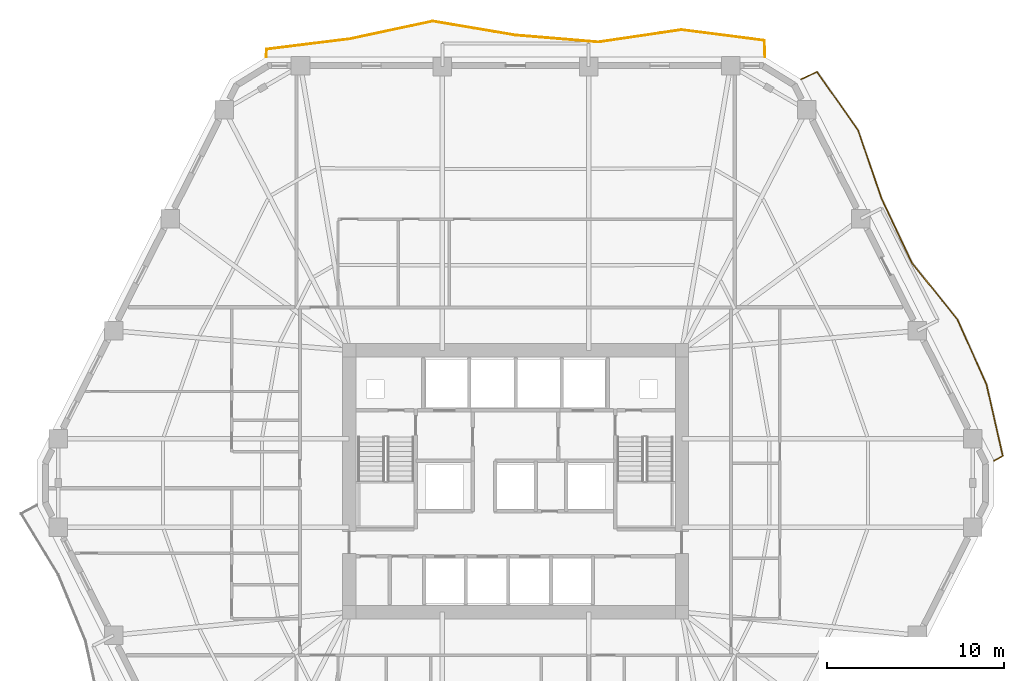
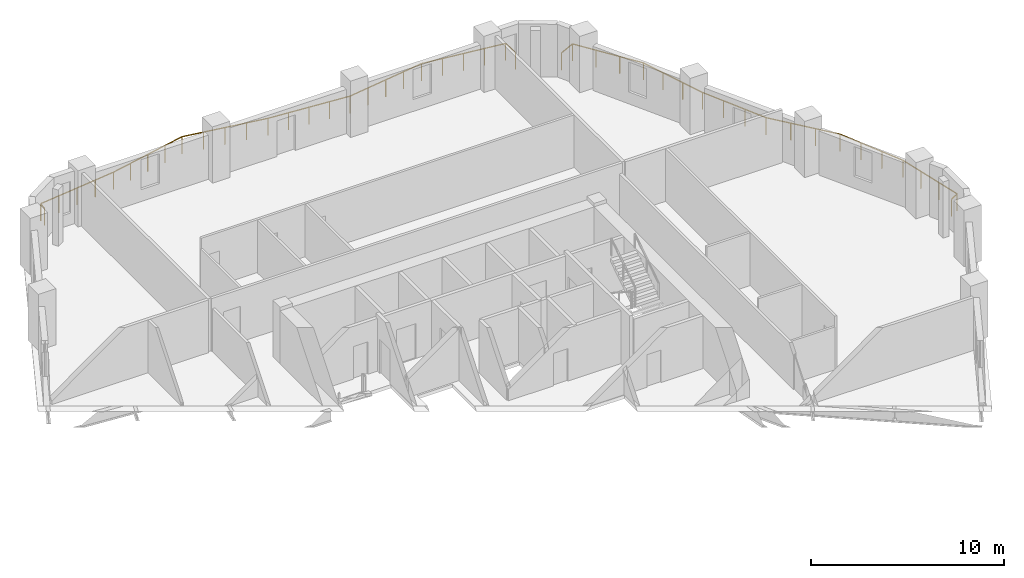
# One storey, part 10 of 10: 2 railings.
"""IFC4 building model written with IfcOpenShell, lengths in metres."""

from ifc_helpers import new_model, si_unit, direction, frame, origin, origin_2d, place, context, subcontext, project, spatial, rectangle, extrude, material, type_object, element, save


model = new_model("IFC4")

# Units and contexts
model_context = context("Model", 3, precision=1e-05, world=origin(), true_north=direction((0.0, 1.0)))
body_context = subcontext(model_context, "Body", "Model", "MODEL_VIEW")
ifc_project = project(units=[si_unit("LENGTHUNIT", "METRE"), si_unit("AREAUNIT", "SQUARE_METRE"), si_unit("VOLUMEUNIT", "CUBIC_METRE"), si_unit("PLANEANGLEUNIT", "RADIAN"), si_unit("MASSUNIT", "GRAM", prefix="KILO")], contexts=[model_context])

# Site, building, storey
site_placement = place(None, origin())
site = spatial("IfcSite", under=ifc_project, at=site_placement, CompositionType="ELEMENT")
building_placement = place(site_placement, origin())
building = spatial("IfcBuilding", under=site, at=building_placement, Name="Cinnabar Lancet Tower", CompositionType="ELEMENT")
storey_placement = place(building_placement, frame((0.0, 0.0, 87.10009765625)))
storey = spatial("IfcBuildingStorey", under=building, at=storey_placement, Name="L22", CompositionType="ELEMENT", Elevation=87.10009765625)

# Railings
ifc_material = material(Name="Laminated safety glass and bronze stainless steel balustrade", Category="steel")
railing_type = type_object("IfcRailingType", Name="ENV-RLG-BAL-1100", PredefinedType="BALUSTRADE", material=ifc_material)
railing_1_placement = place(storey_placement, frame((59.367919921875, 27.049072265625, 0.0)))
element("IfcRailing", 1, at=railing_1_placement, inside=storey, type_object=railing_type, Name="L22 Face 3 Wave Balcony Balustrade", PredefinedType="BALUSTRADE", context=body_context, shape_type="SweptSolid", body=[
    extrude(rectangle(XDim=0.048095703125, YDim=0.048095703125, at=origin_2d()), frame((0.0, 0.0, 1.076171875), z_axis=(0.868189468492, 0.496232855421, 0.0), x_axis=(-0.496232855421, 0.868189468492, 0.0)), (0.0, 0.0, 1.0), 0.559814453125),
    extrude(rectangle(XDim=0.048095703125, YDim=0.048095703125, at=origin_2d()), frame((0.486083984375, 0.27783203125, 1.076171875), z_axis=(-0.222073403223, 0.975029950094, 0.0), x_axis=(-0.975029950094, -0.222073403223, 0.0)), (0.0, 0.0, 1.0), 4.129150390625),
    extrude(rectangle(XDim=0.048095703125, YDim=0.048095703125, at=origin_2d()), frame((-0.430908203125, 4.303955078125, 1.076171875), z_axis=(-0.408402099258, 0.912802128241, 0.0), x_axis=(-0.912802128241, -0.408402099258, 0.0)), (0.0, 0.0, 1.0), 4.010498046875),
    extrude(rectangle(XDim=0.048095703125, YDim=0.048095703125, at=origin_2d()), frame((-2.06884765625, 7.96484375, 1.076171875), z_axis=(-0.626075917106, 0.779762108607, 0.0), x_axis=(-0.779762108607, -0.626075917106, 0.0)), (0.0, 0.0, 1.0), 4.09375),
    extrude(rectangle(XDim=0.048095703125, YDim=0.048095703125, at=origin_2d()), frame((-4.6318359375, 11.156982421875, 1.076171875), z_axis=(-0.427583355017, 0.903975925848, 0.0), x_axis=(-0.903975925848, -0.427583355017, 0.0)), (0.0, 0.0, 1.0), 4.006591796875),
    extrude(rectangle(XDim=0.048095703125, YDim=0.048095703125, at=origin_2d()), frame((-6.344970703125, 14.77880859375, 1.076171875), z_axis=(-0.32450635085, 0.945883517278, 0.0), x_axis=(-0.945883517278, -0.32450635085, 0.0)), (0.0, 0.0, 1.0), 4.046142578125),
    extrude(rectangle(XDim=0.048095703125, YDim=0.048095703125, at=origin_2d()), frame((-7.657958984375, 18.60595703125, 1.076171875), z_axis=(-0.573170854356, 0.819435886276, 0.0), x_axis=(-0.819435886276, -0.573170854356, 0.0)), (0.0, 0.0, 1.0), 4.0478515625),
    extrude(rectangle(XDim=0.048095703125, YDim=0.048095703125, at=origin_2d()), frame((-9.97802734375, 21.9228515625, 1.076171875), z_axis=(-0.906170605572, -0.42291232377, 0.0), x_axis=(0.42291232377, -0.906170605572, 0.0)), (0.0, 0.0, 1.0), 0.9951171875),
    extrude(rectangle(XDim=0.0419921875, YDim=0.0419921875, at=origin_2d()), origin(), (0.0, 0.0, 1.0), 1.052001953125),
    extrude(rectangle(XDim=0.0419921875, YDim=0.0419921875, at=origin_2d()), frame((0.486083984375, 0.27783203125, 0.0)), (0.0, 0.0, 1.0), 1.052001953125),
    extrude(rectangle(XDim=0.0419921875, YDim=0.0419921875, at=origin_2d()), frame((0.180419921875, 1.619873046875, 0.0)), (0.0, 0.0, 1.0), 1.052001953125),
    extrude(rectangle(XDim=0.0419921875, YDim=0.0419921875, at=origin_2d()), frame((-0.125244140625, 2.9619140625, 0.0)), (0.0, 0.0, 1.0), 1.052001953125),
    extrude(rectangle(XDim=0.0419921875, YDim=0.0419921875, at=origin_2d()), frame((-0.430908203125, 4.303955078125, 0.0)), (0.0, 0.0, 1.0), 1.052001953125),
    extrude(rectangle(XDim=0.0419921875, YDim=0.0419921875, at=origin_2d()), frame((-0.976806640625, 5.524169921875, 0.0)), (0.0, 0.0, 1.0), 1.052001953125),
    extrude(rectangle(XDim=0.0419921875, YDim=0.0419921875, at=origin_2d()), frame((-1.52294921875, 6.74462890625, 0.0)), (0.0, 0.0, 1.0), 1.052001953125),
    extrude(rectangle(XDim=0.0419921875, YDim=0.0419921875, at=origin_2d()), frame((-2.06884765625, 7.96484375, 0.0)), (0.0, 0.0, 1.0), 1.052001953125),
    extrude(rectangle(XDim=0.0419921875, YDim=0.0419921875, at=origin_2d()), frame((-2.923095703125, 9.02880859375, 0.0)), (0.0, 0.0, 1.0), 1.052001953125),
    extrude(rectangle(XDim=0.0419921875, YDim=0.0419921875, at=origin_2d()), frame((-3.777587890625, 10.093017578125, 0.0)), (0.0, 0.0, 1.0), 1.052001953125),
    extrude(rectangle(XDim=0.0419921875, YDim=0.0419921875, at=origin_2d()), frame((-4.6318359375, 11.156982421875, 0.0)), (0.0, 0.0, 1.0), 1.052001953125),
    extrude(rectangle(XDim=0.0419921875, YDim=0.0419921875, at=origin_2d()), frame((-5.202880859375, 12.3642578125, 0.0)), (0.0, 0.0, 1.0), 1.052001953125),
    extrude(rectangle(XDim=0.0419921875, YDim=0.0419921875, at=origin_2d()), frame((-5.77392578125, 13.571533203125, 0.0)), (0.0, 0.0, 1.0), 1.052001953125),
    extrude(rectangle(XDim=0.0419921875, YDim=0.0419921875, at=origin_2d()), frame((-6.344970703125, 14.77880859375, 0.0)), (0.0, 0.0, 1.0), 1.052001953125),
    extrude(rectangle(XDim=0.0419921875, YDim=0.0419921875, at=origin_2d()), frame((-6.78271484375, 16.054443359375, 0.0)), (0.0, 0.0, 1.0), 1.052001953125),
    extrude(rectangle(XDim=0.0419921875, YDim=0.0419921875, at=origin_2d()), frame((-7.22021484375, 17.330322265625, 0.0)), (0.0, 0.0, 1.0), 1.052001953125),
    extrude(rectangle(XDim=0.0419921875, YDim=0.0419921875, at=origin_2d()), frame((-7.657958984375, 18.60595703125, 0.0)), (0.0, 0.0, 1.0), 1.052001953125),
    extrude(rectangle(XDim=0.0419921875, YDim=0.0419921875, at=origin_2d()), frame((-8.431396484375, 19.711669921875, 0.0)), (0.0, 0.0, 1.0), 1.052001953125),
    extrude(rectangle(XDim=0.0419921875, YDim=0.0419921875, at=origin_2d()), frame((-9.20458984375, 20.817138671875, 0.0)), (0.0, 0.0, 1.0), 1.052001953125),
    extrude(rectangle(XDim=0.0419921875, YDim=0.0419921875, at=origin_2d()), frame((-9.97802734375, 21.9228515625, 0.0)), (0.0, 0.0, 1.0), 1.052001953125),
    extrude(rectangle(XDim=0.0419921875, YDim=0.0419921875, at=origin_2d()), frame((-10.8798828125, 21.501953125, 0.0)), (0.0, 0.0, 1.0), 1.052001953125),
])
railing_2_placement = place(storey_placement, frame((46.4560546875, 49.800048828125, 0.0)))
element("IfcRailing", 2, at=railing_2_placement, inside=storey, type_object=railing_type, Name="L22 Face 4 Wave Balcony Balustrade", PredefinedType="BALUSTRADE", context=body_context, shape_type="SweptSolid", body=[
    extrude(rectangle(XDim=0.048095703125, YDim=0.048095703125, at=origin_2d()), frame((0.0, 0.0, 1.076171875), z_axis=(-0.036117864704, 0.999347537071, 0.0), x_axis=(-0.999347537071, -0.036117864704, 0.0)), (0.0, 0.0, 1.0), 0.939697265625),
    extrude(rectangle(XDim=0.048095703125, YDim=0.048095703125, at=origin_2d()), frame((-0.033935546875, 0.93896484375, 1.076171875), z_axis=(-0.991862053108, 0.127317192884, 0.0), x_axis=(-0.127317192884, -0.991862053108, 0.0)), (0.0, 0.0, 1.0), 4.71337890625),
    extrude(rectangle(XDim=0.048095703125, YDim=0.048095703125, at=origin_2d()), frame((-4.708984375, 1.5390625, 1.076171875), z_axis=(-0.989247519706, -0.146250964974, 0.0), x_axis=(0.146250964974, -0.989247519706, 0.0)), (0.0, 0.0, 1.0), 4.725830078125),
    extrude(rectangle(XDim=0.048095703125, YDim=0.048095703125, at=origin_2d()), frame((-9.384033203125, 0.847900390625, 1.076171875), z_axis=(-0.996570494674, 0.082748106602, 0.0), x_axis=(-0.082748106602, -0.996570494674, 0.0)), (0.0, 0.0, 1.0), 4.688232421875),
    extrude(rectangle(XDim=0.048095703125, YDim=0.048095703125, at=origin_2d()), frame((-14.05615234375, 1.23583984375, 1.076171875), z_axis=(-0.986142126996, 0.165902698481, 0.0), x_axis=(-0.165902698481, -0.986142126996, 0.0)), (0.0, 0.0, 1.0), 4.738525390625),
    extrude(rectangle(XDim=0.048095703125, YDim=0.048095703125, at=origin_2d()), frame((-18.72900390625, 2.02197265625, 1.076171875), z_axis=(-0.97795390685, -0.208820870786, 0.0), x_axis=(0.208820870786, -0.97795390685, 0.0)), (0.0, 0.0, 1.0), 4.779541015625),
    extrude(rectangle(XDim=0.048095703125, YDim=0.048095703125, at=origin_2d()), frame((-23.403076171875, 1.02392578125, 1.076171875), z_axis=(-0.992443660737, -0.122701182813, 0.0), x_axis=(0.122701182813, -0.992443660737, 0.0)), (0.0, 0.0, 1.0), 4.709716796875),
    extrude(rectangle(XDim=0.048095703125, YDim=0.048095703125, at=origin_2d()), frame((-28.0771484375, 0.446044921875, 1.076171875), z_axis=(-0.078031732478, -0.996950875784, 0.0), x_axis=(0.996950875784, -0.078031732478, 0.0)), (0.0, 0.0, 1.0), 0.447509765625),
    extrude(rectangle(XDim=0.0419921875, YDim=0.0419921875, at=origin_2d()), origin(), (0.0, 0.0, 1.0), 1.052001953125),
    extrude(rectangle(XDim=0.0419921875, YDim=0.0419921875, at=origin_2d()), frame((-0.033935546875, 0.93896484375, 0.0)), (0.0, 0.0, 1.0), 1.052001953125),
    extrude(rectangle(XDim=0.0419921875, YDim=0.0419921875, at=origin_2d()), frame((-1.20263671875, 1.0888671875, 0.0)), (0.0, 0.0, 1.0), 1.052001953125),
    extrude(rectangle(XDim=0.0419921875, YDim=0.0419921875, at=origin_2d()), frame((-2.37158203125, 1.239013671875, 0.0)), (0.0, 0.0, 1.0), 1.052001953125),
    extrude(rectangle(XDim=0.0419921875, YDim=0.0419921875, at=origin_2d()), frame((-3.540283203125, 1.38916015625, 0.0)), (0.0, 0.0, 1.0), 1.052001953125),
    extrude(rectangle(XDim=0.0419921875, YDim=0.0419921875, at=origin_2d()), frame((-4.708984375, 1.5390625, 0.0)), (0.0, 0.0, 1.0), 1.052001953125),
    extrude(rectangle(XDim=0.0419921875, YDim=0.0419921875, at=origin_2d()), frame((-5.877685546875, 1.3662109375, 0.0)), (0.0, 0.0, 1.0), 1.052001953125),
    extrude(rectangle(XDim=0.0419921875, YDim=0.0419921875, at=origin_2d()), frame((-7.04638671875, 1.193359375, 0.0)), (0.0, 0.0, 1.0), 1.052001953125),
    extrude(rectangle(XDim=0.0419921875, YDim=0.0419921875, at=origin_2d()), frame((-8.21533203125, 1.020751953125, 0.0)), (0.0, 0.0, 1.0), 1.052001953125),
    extrude(rectangle(XDim=0.0419921875, YDim=0.0419921875, at=origin_2d()), frame((-9.384033203125, 0.847900390625, 0.0)), (0.0, 0.0, 1.0), 1.052001953125),
    extrude(rectangle(XDim=0.0419921875, YDim=0.0419921875, at=origin_2d()), frame((-10.552001953125, 0.94482421875, 0.0)), (0.0, 0.0, 1.0), 1.052001953125),
    extrude(rectangle(XDim=0.0419921875, YDim=0.0419921875, at=origin_2d()), frame((-11.72021484375, 1.0419921875, 0.0)), (0.0, 0.0, 1.0), 1.052001953125),
    extrude(rectangle(XDim=0.0419921875, YDim=0.0419921875, at=origin_2d()), frame((-12.88818359375, 1.138916015625, 0.0)), (0.0, 0.0, 1.0), 1.052001953125),
    extrude(rectangle(XDim=0.0419921875, YDim=0.0419921875, at=origin_2d()), frame((-14.05615234375, 1.23583984375, 0.0)), (0.0, 0.0, 1.0), 1.052001953125),
    extrude(rectangle(XDim=0.0419921875, YDim=0.0419921875, at=origin_2d()), frame((-15.224365234375, 1.432373046875, 0.0)), (0.0, 0.0, 1.0), 1.052001953125),
    extrude(rectangle(XDim=0.0419921875, YDim=0.0419921875, at=origin_2d()), frame((-16.392578125, 1.62890625, 0.0)), (0.0, 0.0, 1.0), 1.052001953125),
    extrude(rectangle(XDim=0.0419921875, YDim=0.0419921875, at=origin_2d()), frame((-17.560791015625, 1.825439453125, 0.0)), (0.0, 0.0, 1.0), 1.052001953125),
    extrude(rectangle(XDim=0.0419921875, YDim=0.0419921875, at=origin_2d()), frame((-18.72900390625, 2.02197265625, 0.0)), (0.0, 0.0, 1.0), 1.052001953125),
    extrude(rectangle(XDim=0.0419921875, YDim=0.0419921875, at=origin_2d()), frame((-19.8974609375, 1.7724609375, 0.0)), (0.0, 0.0, 1.0), 1.052001953125),
    extrude(rectangle(XDim=0.0419921875, YDim=0.0419921875, at=origin_2d()), frame((-21.06591796875, 1.52294921875, 0.0)), (0.0, 0.0, 1.0), 1.052001953125),
    extrude(rectangle(XDim=0.0419921875, YDim=0.0419921875, at=origin_2d()), frame((-22.234619140625, 1.2734375, 0.0)), (0.0, 0.0, 1.0), 1.052001953125),
    extrude(rectangle(XDim=0.0419921875, YDim=0.0419921875, at=origin_2d()), frame((-23.403076171875, 1.02392578125, 0.0)), (0.0, 0.0, 1.0), 1.052001953125),
    extrude(rectangle(XDim=0.0419921875, YDim=0.0419921875, at=origin_2d()), frame((-24.571533203125, 0.87939453125, 0.0)), (0.0, 0.0, 1.0), 1.052001953125),
    extrude(rectangle(XDim=0.0419921875, YDim=0.0419921875, at=origin_2d()), frame((-25.740234375, 0.73486328125, 0.0)), (0.0, 0.0, 1.0), 1.052001953125),
    extrude(rectangle(XDim=0.0419921875, YDim=0.0419921875, at=origin_2d()), frame((-26.90869140625, 0.590576171875, 0.0)), (0.0, 0.0, 1.0), 1.052001953125),
    extrude(rectangle(XDim=0.0419921875, YDim=0.0419921875, at=origin_2d()), frame((-28.0771484375, 0.446044921875, 0.0)), (0.0, 0.0, 1.0), 1.052001953125),
    extrude(rectangle(XDim=0.0419921875, YDim=0.0419921875, at=origin_2d()), frame((-28.112060546875, 0.0, 0.0)), (0.0, 0.0, 1.0), 1.052001953125),
])

save(model, "model.ifc")
